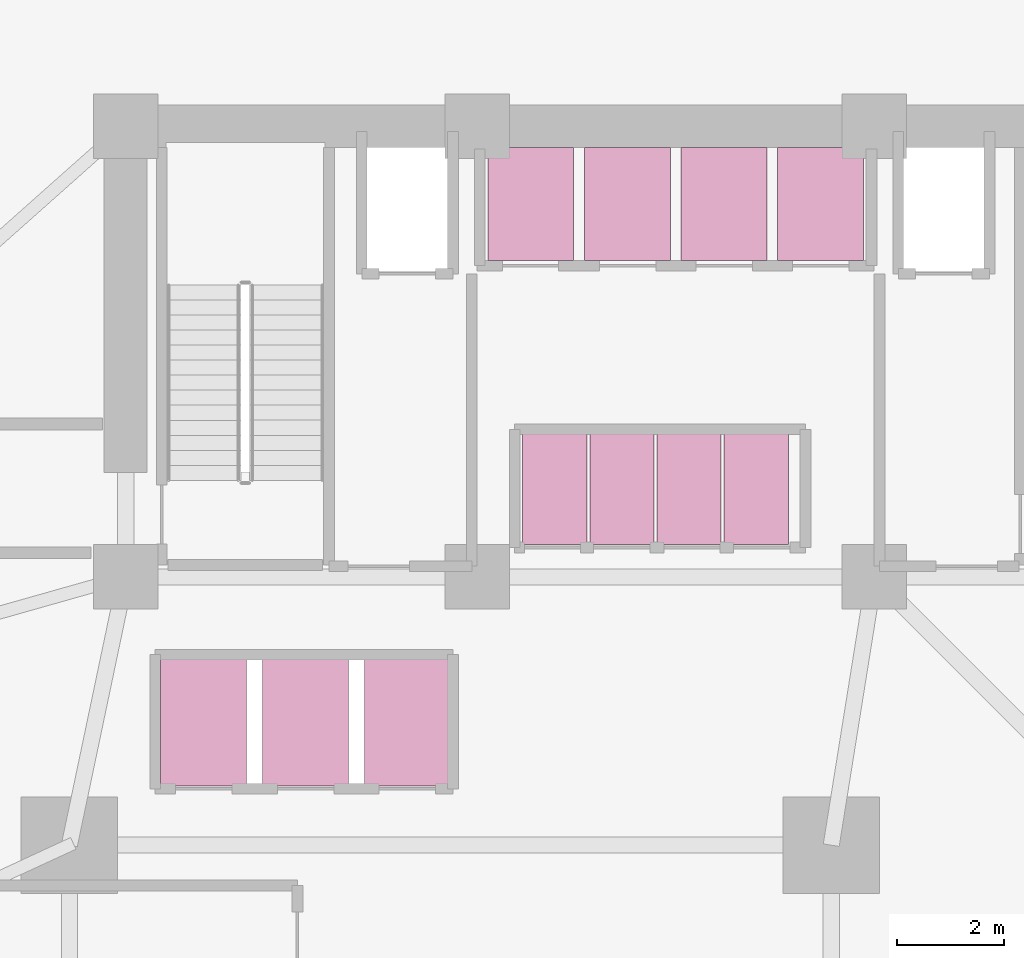
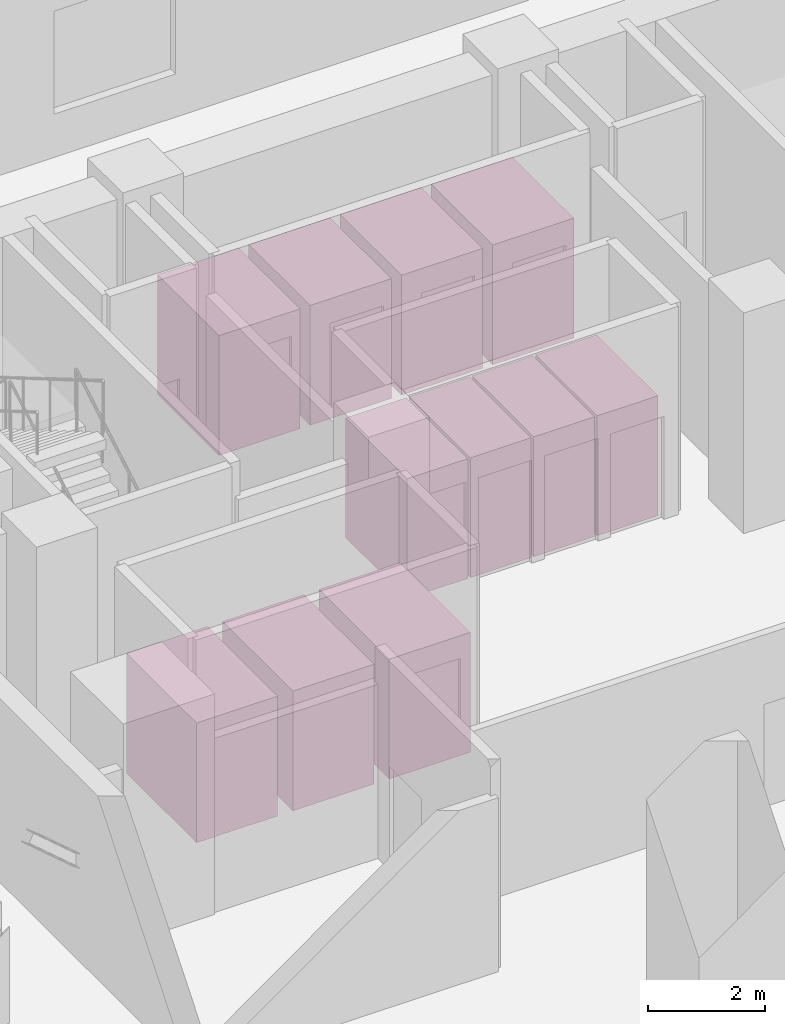
# One storey, part 14 of 14: 11 transport elements.
"""IFC4 building model written with IfcOpenShell, lengths in metres."""

from ifc_helpers import new_model, si_unit, direction, frame, origin, origin_2d, place, context, subcontext, project, spatial, rectangle, extrude, material, type_object, element, save


model = new_model("IFC4")

# Units and contexts
model_context = context("Model", 3, precision=1e-05, world=origin(), true_north=direction((0.0, 1.0)))
body_context = subcontext(model_context, "Body", "Model", "MODEL_VIEW")
ifc_project = project(units=[si_unit("LENGTHUNIT", "METRE"), si_unit("AREAUNIT", "SQUARE_METRE"), si_unit("VOLUMEUNIT", "CUBIC_METRE"), si_unit("PLANEANGLEUNIT", "RADIAN"), si_unit("MASSUNIT", "GRAM", prefix="KILO")], contexts=[model_context])

# Site, building, storey
site_placement = place(None, origin())
site = spatial("IfcSite", under=ifc_project, at=site_placement, CompositionType="ELEMENT")
building_placement = place(site_placement, origin())
building = spatial("IfcBuilding", under=site, at=building_placement, Name="Kuzgunbayir Cultural Tower", CompositionType="ELEMENT")
storey_placement = place(building_placement, origin())
storey = spatial("IfcBuildingStorey", under=building, at=storey_placement, Name="L00", CompositionType="ELEMENT", Elevation=0.0)

# Transport elements
ifc_material = material(Name="Brushed Stainless Steel", Category="steel")
transport_element_type_1 = type_object("IfcTransportElementType", Name="LFT-PASS-1600", PredefinedType="ELEVATOR", material=ifc_material)
for number, where, z_axis, x_axis, name in (
    (1, (14.0, 40.75, 0.0), (0.0, 0.0, 1.0), (1.0, 0.0, 0.0), "Elevator PL-1"),
    (2, (15.800048828125, 40.75, 0.0), (0.0, 0.0, 1.0), (1.0, 0.0, 0.0), "Elevator PL-2"),
    (3, (17.60009765625, 40.75, 0.0), (0.0, 0.0, 1.0), (1.0, 0.0, 0.0), "Elevator PL-3"),
    (4, (19.39990234375, 40.75, 0.0), (0.0, 0.0, 1.0), (1.0, 0.0, 0.0), "Elevator PL-4"),
):
    element("IfcTransportElement", number, at=place(storey_placement, frame(where, z_axis=z_axis, x_axis=x_axis)), inside=storey, type_object=transport_element_type_1, Name=name, PredefinedType="ELEVATOR", context=body_context, shape_type="SweptSolid", body=[
        extrude(rectangle(XDim=1.60009765625, YDim=2.10009765625, at=origin_2d()), origin(), (0.0, 0.0, 1.0), 2.5),
    ])
for number, where, z_axis, x_axis, name in (
    (5, (14.449951171875, 35.449951171875, 0.0), (0.0, 0.0, 1.0), (1.0, 0.0, 0.0), "Elevator PM-1"),
    (6, (15.699951171875, 35.449951171875, 0.0), (0.0, 0.0, 1.0), (1.0, 0.0, 0.0), "Elevator PM-2"),
    (7, (16.949951171875, 35.449951171875, 0.0), (0.0, 0.0, 1.0), (1.0, 0.0, 0.0), "Elevator PM-3"),
    (8, (18.199951171875, 35.449951171875, 0.0), (0.0, 0.0, 1.0), (1.0, 0.0, 0.0), "Elevator PM-4"),
):
    element("IfcTransportElement", number, at=place(storey_placement, frame(where, z_axis=z_axis, x_axis=x_axis)), inside=storey, type_object=transport_element_type_1, Name=name, PredefinedType="ELEVATOR", context=body_context, shape_type="SweptSolid", body=[
        extrude(rectangle(XDim=1.199951171875, YDim=2.10009765625, at=origin_2d()), origin(), (0.0, 0.0, 1.0), 2.5),
    ])
transport_element_type_2 = type_object("IfcTransportElementType", Name="LFT-PASS-1800", PredefinedType="ELEVATOR", material=ifc_material)
for number, where, z_axis, x_axis, name in (
    (9, (7.89990234375, 31.10009765625, 0.0), (0.0, 0.0, 1.0), (1.0, 0.0, 0.0), "Elevator PH-1"),
    (10, (9.800048828125, 31.10009765625, 0.0), (0.0, 0.0, 1.0), (1.0, 0.0, 0.0), "Elevator PH-2"),
    (11, (11.699951171875, 31.10009765625, 0.0), (0.0, 0.0, 1.0), (1.0, 0.0, 0.0), "Elevator PH-3"),
):
    element("IfcTransportElement", number, at=place(storey_placement, frame(where, z_axis=z_axis, x_axis=x_axis)), inside=storey, type_object=transport_element_type_2, Name=name, PredefinedType="ELEVATOR", context=body_context, shape_type="SweptSolid", body=[
        extrude(rectangle(XDim=1.60009765625, YDim=2.39990234375, at=origin_2d()), origin(), (0.0, 0.0, 1.0), 2.5),
    ])

save(model, "model.ifc")
